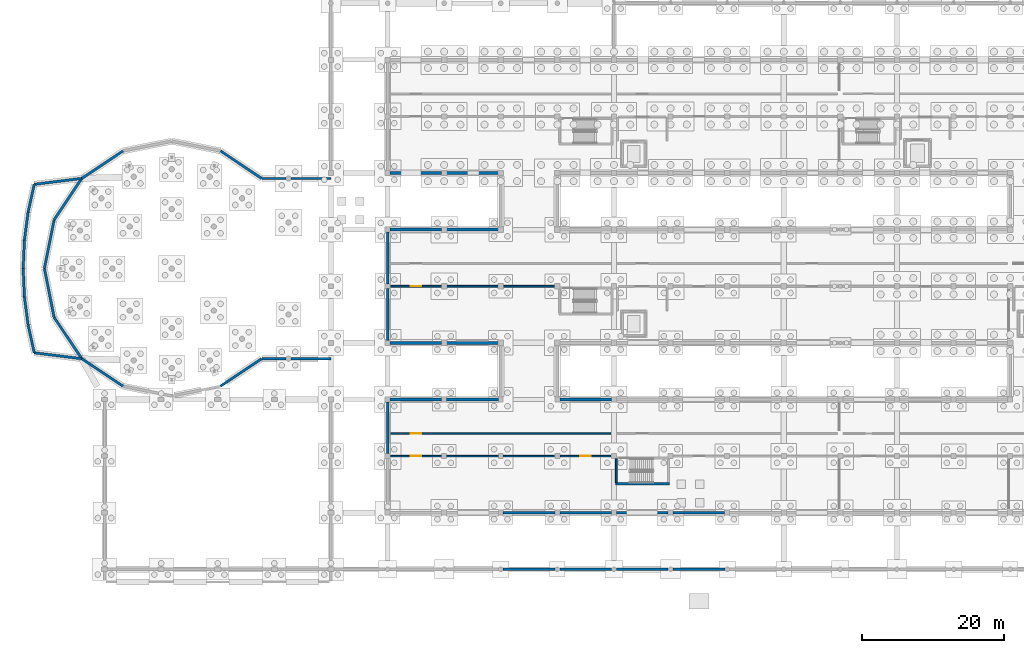
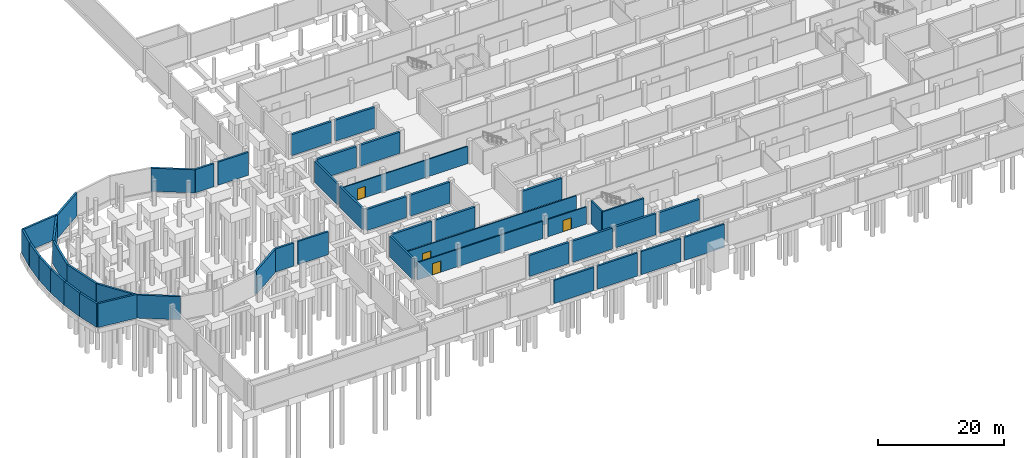
# One storey, part 37 of 51: 46 walls, 4 doors, 4 openings.
"""IFC4 building model written with IfcOpenShell, lengths in metres."""

from ifc_helpers import new_model, si_unit, direction, frame, frame_2d, origin, place, context, subcontext, project, spatial, rectangle, extrude, material, layer, layer_set, type_object, element, fill, save


model = new_model("IFC4")

# Units and contexts
model_context = context("Model", 3, precision=1e-05, world=origin(), true_north=direction((0.0, 1.0)))
body_context = subcontext(model_context, "Body", "Model", "MODEL_VIEW")
ifc_project = project(units=[si_unit("LENGTHUNIT", "METRE"), si_unit("AREAUNIT", "SQUARE_METRE"), si_unit("VOLUMEUNIT", "CUBIC_METRE"), si_unit("PLANEANGLEUNIT", "RADIAN"), si_unit("MASSUNIT", "GRAM", prefix="KILO")], contexts=[model_context])

# Site, building, storey
site_placement = place(None, origin())
site = spatial("IfcSite", under=ifc_project, at=site_placement, CompositionType="ELEMENT")
building_placement = place(site_placement, origin())
building = spatial("IfcBuilding", under=site, at=building_placement, Name="Jelvoka-Kovrelna Polytechnic", CompositionType="ELEMENT")
storey_placement = place(building_placement, frame((0.0, 0.0, -4.5)))
storey = spatial("IfcBuildingStorey", under=building, at=storey_placement, Name="B01", CompositionType="ELEMENT", Elevation=-4.5)

# Wall, opening, door
ifc_material_1 = material(Name="Concrete C35/45", Category="concrete")
ifc_layer_1 = layer(ifc_material_1, 0.219970703125)
ifc_layer_set_1 = layer_set([ifc_layer_1], Name="Concrete C35/45")
wall_type_1 = type_object("IfcWallType", Name="Wall_Compartment_220", PredefinedType="PARTITIONING", material=ifc_layer_set_1)
wall_1_placement = place(storey_placement, frame((56.429931640625, 16.0, 0.0), z_axis=(0.0, 0.0, 1.0), x_axis=(1.0, 0.0, 0.0)))
wall_1 = element("IfcWall", 1, at=wall_1_placement, inside=storey, type_object=wall_type_1, Name="B01 interior wall 0799", PredefinedType="PARTITIONING", context=body_context, shape_type="SweptSolid", body=[
    extrude(rectangle(XDim=23.14013671875, YDim=0.219970703125, at=frame_2d((11.570068359375, 0.0))), origin(), (0.0, 0.0, 1.0), 3.3701171875),
])
opening_1_placement = place(wall_1_placement, frame((2.820068359375, 0.0, 0.0)))
opening_1 = element("IfcOpeningElement", 2, at=opening_1_placement, cuts=wall_1, Name="Opening D-B01-118", PredefinedType="OPENING", context=body_context, shape_type="SweptSolid", body=[
    extrude(rectangle(XDim=1.5, YDim=2.199951171875, at=frame_2d((0.75, 1.10009765625))), frame((0.0, 0.119873046875, 0.0), z_axis=(0.0, -1.0, 0.0), x_axis=(1.0, 0.0, 0.0)), (0.0, 0.0, 1.0), 0.239990234375),
])
ifc_material_2 = material(Name="Paired steel stair lobby fire door", Category="steel")
door_type = type_object("IfcDoorType", Name="Door_Fire_FD04", OperationType="NOTDEFINED", PredefinedType="DOOR", material=ifc_material_2)
door_1_placement = place(opening_1_placement, origin())
door_1 = element("IfcDoor", 3, at=door_1_placement, inside=storey, type_object=door_type, Name="B01 interior door D-B01-118", OperationType="DOUBLE_DOOR_SINGLE_SWING", OverallHeight=2.199951171875, OverallWidth=1.5, PredefinedType="DOOR", context=body_context, shape_type="SweptSolid", body=[
    extrude(rectangle(XDim=1.5, YDim=2.199951171875, at=frame_2d((0.75, 1.10009765625))), frame((0.0, 0.02490234375, 0.0), z_axis=(0.0, -1.0, 0.0), x_axis=(1.0, 0.0, 0.0)), (0.0, 0.0, 1.0), 0.050048828125),
])
fill(opening_1, door_1)

wall_2_placement = place(storey_placement, frame((80.429931640625, 16.0, 0.0), z_axis=(0.0, 0.0, 1.0), x_axis=(1.0, 0.0, 0.0)))
wall_2 = element("IfcWall", 4, at=wall_2_placement, inside=storey, type_object=wall_type_1, Name="B01 interior wall 0800", PredefinedType="PARTITIONING", context=body_context, shape_type="SweptSolid", body=[
    extrude(rectangle(XDim=7.14013671875, YDim=0.219970703125, at=frame_2d((3.570068359375, 0.0))), origin(), (0.0, 0.0, 1.0), 3.3701171875),
])
opening_2_placement = place(wall_2_placement, frame((2.820068359375, 0.0, 0.0)))
opening_2 = element("IfcOpeningElement", 5, at=opening_2_placement, cuts=wall_2, Name="Opening D-B01-119", PredefinedType="OPENING", context=body_context, shape_type="SweptSolid", body=[
    extrude(rectangle(XDim=1.5, YDim=2.199951171875, at=frame_2d((0.75, 1.10009765625))), frame((0.0, 0.119873046875, 0.0), z_axis=(0.0, -1.0, 0.0), x_axis=(1.0, 0.0, 0.0)), (0.0, 0.0, 1.0), 0.239990234375),
])
door_2_placement = place(opening_2_placement, origin())
door_2 = element("IfcDoor", 6, at=door_2_placement, inside=storey, type_object=door_type, Name="B01 interior door D-B01-119", OperationType="DOUBLE_DOOR_SINGLE_SWING", OverallHeight=2.199951171875, OverallWidth=1.5, PredefinedType="DOOR", context=body_context, shape_type="SweptSolid", body=[
    extrude(rectangle(XDim=1.5, YDim=2.199951171875, at=frame_2d((0.75, 1.10009765625))), frame((0.0, 0.02490234375, 0.0), z_axis=(0.0, -1.0, 0.0), x_axis=(1.0, 0.0, 0.0)), (0.0, 0.0, 1.0), 0.050048828125),
])
fill(opening_2, door_2)

wall_3_placement = place(storey_placement, frame((56.429931640625, 19.199951171875, 0.0), z_axis=(0.0, 0.0, 1.0), x_axis=(1.0, 0.0, 0.0)))
wall_3 = element("IfcWall", 7, at=wall_3_placement, inside=storey, type_object=wall_type_1, Name="B01 interior wall 0809", PredefinedType="PARTITIONING", context=body_context, shape_type="SweptSolid", body=[
    extrude(rectangle(XDim=31.14013671875, YDim=0.219970703125, at=frame_2d((15.570068359375, 0.0))), origin(), (0.0, 0.0, 1.0), 3.60009765625),
])
opening_3_placement = place(wall_3_placement, frame((2.820068359375, 0.0, 0.0)))
opening_3 = element("IfcOpeningElement", 8, at=opening_3_placement, cuts=wall_3, Name="Opening D-B01-125", PredefinedType="OPENING", context=body_context, shape_type="SweptSolid", body=[
    extrude(rectangle(XDim=1.5, YDim=2.199951171875, at=frame_2d((0.75, 1.10009765625))), frame((0.0, 0.119873046875, 0.0), z_axis=(0.0, -1.0, 0.0), x_axis=(1.0, 0.0, 0.0)), (0.0, 0.0, 1.0), 0.239990234375),
])
door_3_placement = place(opening_3_placement, origin())
door_3 = element("IfcDoor", 9, at=door_3_placement, inside=storey, type_object=door_type, Name="B01 interior door D-B01-125", OperationType="DOUBLE_DOOR_SINGLE_SWING", OverallHeight=2.199951171875, OverallWidth=1.5, PredefinedType="DOOR", context=body_context, shape_type="SweptSolid", body=[
    extrude(rectangle(XDim=1.5, YDim=2.199951171875, at=frame_2d((0.75, 1.10009765625))), frame((0.0, 0.02490234375, 0.0), z_axis=(0.0, -1.0, 0.0), x_axis=(1.0, 0.0, 0.0)), (0.0, 0.0, 1.0), 0.050048828125),
])
fill(opening_3, door_3)

wall_4_placement = place(storey_placement, frame((56.429931640625, 40.0, 0.0), z_axis=(0.0, 0.0, 1.0), x_axis=(1.0, 0.0, 0.0)))
wall_4 = element("IfcWall", 10, at=wall_4_placement, inside=storey, type_object=wall_type_1, Name="B01 interior wall 0817", PredefinedType="PARTITIONING", context=body_context, shape_type="SweptSolid", body=[
    extrude(rectangle(XDim=23.14013671875, YDim=0.219970703125, at=frame_2d((11.570068359375, 0.0))), origin(), (0.0, 0.0, 1.0), 3.3701171875),
])
opening_4_placement = place(wall_4_placement, frame((2.820068359375, 0.0, 0.0)))
opening_4 = element("IfcOpeningElement", 11, at=opening_4_placement, cuts=wall_4, Name="Opening D-B01-130", PredefinedType="OPENING", context=body_context, shape_type="SweptSolid", body=[
    extrude(rectangle(XDim=1.5, YDim=2.199951171875, at=frame_2d((0.75, 1.10009765625))), frame((0.0, 0.119873046875, 0.0), z_axis=(0.0, -1.0, 0.0), x_axis=(1.0, 0.0, 0.0)), (0.0, 0.0, 1.0), 0.239990234375),
])
door_4_placement = place(opening_4_placement, origin())
door_4 = element("IfcDoor", 12, at=door_4_placement, inside=storey, type_object=door_type, Name="B01 interior door D-B01-130", OperationType="DOUBLE_DOOR_SINGLE_SWING", OverallHeight=2.199951171875, OverallWidth=1.5, PredefinedType="DOOR", context=body_context, shape_type="SweptSolid", body=[
    extrude(rectangle(XDim=1.5, YDim=2.199951171875, at=frame_2d((0.75, 1.10009765625))), frame((0.0, 0.02490234375, 0.0), z_axis=(0.0, -1.0, 0.0), x_axis=(1.0, 0.0, 0.0)), (0.0, 0.0, 1.0), 0.050048828125),
])
fill(opening_4, door_4)

# Walls
ifc_material_3 = material(Name="Concrete C40/50", Category="concrete")
ifc_layer_2 = layer(ifc_material_3, 0.25)
ifc_layer_set_2 = layer_set([ifc_layer_2], Name="Concrete C40/50")
wall_type_2 = type_object("IfcWallType", Name="Wall_Core_250", PredefinedType="SOLIDWALL", material=ifc_layer_set_2)
wall_5_placement = place(storey_placement, frame((88.324951171875, 12.25, 0.0), z_axis=(0.0, 0.0, 1.0), x_axis=(0.0, 1.0, 0.0)))
element("IfcWall", 13, at=wall_5_placement, inside=storey, type_object=wall_type_2, Name="B01 interior wall 0064", PredefinedType="SOLIDWALL", context=body_context, shape_type="SweptSolid", body=[
    extrude(rectangle(XDim=3.360107421875, YDim=0.25, at=frame_2d((1.68017578125, 0.0))), origin(), (0.0, 0.0, 1.0), 4.5),
])
ifc_material_4 = material(Name="Concrete C35/45", Category="concrete")
ifc_layer_3 = layer(ifc_material_4, 0.35009765625)
ifc_layer_set_3 = layer_set([ifc_layer_3], Name="Concrete C35/45")
wall_type_3 = type_object("IfcWallType", Name="Wall_Retaining_350", PredefinedType="USERDEFINED", material=ifc_layer_set_3)
for number, where, z_axis, x_axis, name in (
    (14, (56.0, 16.35009765625, 0.0), (0.0, 0.0, 1.0), (0.0, 1.0, 0.0), "B01 exterior wall 0035"),
    (15, (56.0, 32.35009765625, 0.0), (0.0, 0.0, 1.0), (0.0, 1.0, 0.0), "B01 exterior wall 0067"),
    (16, (56.0, 40.35009765625, 0.0), (0.0, 0.0, 1.0), (0.0, 1.0, 0.0), "B01 exterior wall 0069"),
):
    element("IfcWall", number, at=place(storey_placement, frame(where, z_axis=z_axis, x_axis=x_axis)), inside=storey, type_object=wall_type_3, Name=name, ObjectType="RETAININGWALL", PredefinedType="USERDEFINED", context=body_context, shape_type="SweptSolid", body=[
        extrude(rectangle(XDim=7.2998046875, YDim=0.35009765625, at=frame_2d((3.64990234375, 0.0))), origin(), (0.0, 0.0, 1.0), 4.094970703125),
    ])
for number, where, z_axis, x_axis, name in (
    (17, (38.227783203125, 55.227783203125, -0.405029296875), (0.0, 0.0, 1.0), (-0.831456201368, 0.555590303377, 0.0), "B01 exterior wall 0115"),
    (18, (18.61181640625, 59.1298828125, -0.405029296875), (0.0, 0.0, 1.0), (-0.831456201368, -0.555590303377, 0.0), "B01 exterior wall 0118"),
    (19, (12.772216796875, 55.227783203125, -0.405029296875), (0.0, 0.0, 1.0), (-0.555590303377, -0.831456201368, 0.0), "B01 exterior wall 0119"),
):
    element("IfcWall", number, at=place(storey_placement, frame(where, z_axis=z_axis, x_axis=x_axis)), inside=storey, type_object=wall_type_3, Name=name, ObjectType="RETAININGWALL", PredefinedType="USERDEFINED", context=body_context, shape_type="SweptSolid", body=[
        extrude(rectangle(XDim=7.0234375, YDim=0.35009765625, at=frame_2d((3.51171875, 0.0))), origin(), (0.0, 0.0, 1.0), 4.4951171875),
    ])
for number, where, z_axis, x_axis, name in (
    (20, (8.8701171875, 49.38818359375, -0.405029296875), (0.0, 0.0, 1.0), (-0.19508652554, -0.980786035562, 0.0), "B01 exterior wall 0120"),
    (21, (7.5, 42.5, -0.405029296875), (0.0, 0.0, 1.0), (0.19508652554, -0.980786035562, 0.0), "B01 exterior wall 0121"),
):
    element("IfcWall", number, at=place(storey_placement, frame(where, z_axis=z_axis, x_axis=x_axis)), inside=storey, type_object=wall_type_3, Name=name, ObjectType="RETAININGWALL", PredefinedType="USERDEFINED", context=body_context, shape_type="SweptSolid", body=[
        extrude(rectangle(XDim=7.023193359375, YDim=0.35009765625, at=frame_2d((3.51171875, 0.0))), origin(), (0.0, 0.0, 1.0), 4.4951171875),
    ])
for number, where, z_axis, x_axis, name in (
    (22, (8.8701171875, 35.61181640625, -0.405029296875), (0.0, 0.0, 1.0), (0.555590303377, -0.831456201368, 0.0), "B01 exterior wall 0122"),
    (23, (12.772216796875, 29.772216796875, -0.405029296875), (0.0, 0.0, 1.0), (0.831456201368, -0.555590303377, 0.0), "B01 exterior wall 0123"),
    (24, (32.38818359375, 25.8701171875, -0.405029296875), (0.0, 0.0, 1.0), (0.831456201368, 0.555590303377, 0.0), "B01 exterior wall 0126"),
):
    element("IfcWall", number, at=place(storey_placement, frame(where, z_axis=z_axis, x_axis=x_axis)), inside=storey, type_object=wall_type_3, Name=name, ObjectType="RETAININGWALL", PredefinedType="USERDEFINED", context=body_context, shape_type="SweptSolid", body=[
        extrude(rectangle(XDim=7.0234375, YDim=0.35009765625, at=frame_2d((3.51171875, 0.0))), origin(), (0.0, 0.0, 1.0), 4.4951171875),
    ])
wall_6_placement = place(storey_placement, frame((6.0673828125, 54.40576171875, -0.405029296875), z_axis=(0.0, 0.0, 1.0), x_axis=(-0.216453765595, -0.976292869666, 0.0)))
element("IfcWall", 25, at=wall_6_placement, inside=storey, type_object=wall_type_3, Name="B01 exterior wall 0127", ObjectType="RETAININGWALL", PredefinedType="USERDEFINED", context=body_context, shape_type="SweptSolid", body=[
    extrude(rectangle(XDim=4.01318359375, YDim=0.35009765625, at=frame_2d((2.006591796875, 0.0))), origin(), (0.0, 0.0, 1.0), 4.6201171875),
])
wall_7_placement = place(storey_placement, frame((5.19873046875, 50.48779296875, -0.405029296875), z_axis=(0.0, 0.0, 1.0), x_axis=(-0.130501726556, -0.991448082032, 0.0)))
element("IfcWall", 26, at=wall_7_placement, inside=storey, type_object=wall_type_3, Name="B01 exterior wall 0128", ObjectType="RETAININGWALL", PredefinedType="USERDEFINED", context=body_context, shape_type="SweptSolid", body=[
    extrude(rectangle(XDim=4.012939453125, YDim=0.35009765625, at=frame_2d((2.00634765625, 0.0))), origin(), (0.0, 0.0, 1.0), 4.6201171875),
])
for number, where, z_axis, x_axis, name in (
    (27, (4.675048828125, 46.50927734375, -0.405029296875), (0.0, 0.0, 1.0), (-0.043619387096, -0.999048221594, 0.0), "B01 exterior wall 0129"),
    (28, (4.5, 42.5, -0.405029296875), (0.0, 0.0, 1.0), (0.043619387096, -0.999048221594, 0.0), "B01 exterior wall 0130"),
):
    element("IfcWall", number, at=place(storey_placement, frame(where, z_axis=z_axis, x_axis=x_axis)), inside=storey, type_object=wall_type_3, Name=name, ObjectType="RETAININGWALL", PredefinedType="USERDEFINED", context=body_context, shape_type="SweptSolid", body=[
        extrude(rectangle(XDim=4.01318359375, YDim=0.35009765625, at=frame_2d((2.006591796875, 0.0))), origin(), (0.0, 0.0, 1.0), 4.6201171875),
    ])
wall_8_placement = place(storey_placement, frame((4.675048828125, 38.49072265625, -0.405029296875), z_axis=(0.0, 0.0, 1.0), x_axis=(0.130501726556, -0.991448082032, 0.0)))
element("IfcWall", 29, at=wall_8_placement, inside=storey, type_object=wall_type_3, Name="B01 exterior wall 0131", ObjectType="RETAININGWALL", PredefinedType="USERDEFINED", context=body_context, shape_type="SweptSolid", body=[
    extrude(rectangle(XDim=4.012939453125, YDim=0.35009765625, at=frame_2d((2.00634765625, 0.0))), origin(), (0.0, 0.0, 1.0), 4.6201171875),
])
wall_9_placement = place(storey_placement, frame((5.19873046875, 34.51220703125, -0.405029296875), z_axis=(0.0, 0.0, 1.0), x_axis=(0.216453765595, -0.976292869666, 0.0)))
element("IfcWall", 30, at=wall_9_placement, inside=storey, type_object=wall_type_3, Name="B01 exterior wall 0132", ObjectType="RETAININGWALL", PredefinedType="USERDEFINED", context=body_context, shape_type="SweptSolid", body=[
    extrude(rectangle(XDim=4.01318359375, YDim=0.35009765625, at=frame_2d((2.006591796875, 0.0))), origin(), (0.0, 0.0, 1.0), 4.6201171875),
])
for number, where, z_axis, x_axis, name in (
    (31, (6.0673828125, 54.40576171875, -0.405029296875), (0.0, 0.0, 1.0), (0.992275648298, 0.124052560614, 0.0), "B01 exterior wall 0133"),
    (32, (6.0673828125, 30.59423828125, -0.405029296875), (0.0, 0.0, 1.0), (0.992275648298, -0.124052560614, 0.0), "B01 exterior wall 0134"),
):
    element("IfcWall", number, at=place(storey_placement, frame(where, z_axis=z_axis, x_axis=x_axis)), inside=storey, type_object=wall_type_3, Name=name, ObjectType="RETAININGWALL", PredefinedType="USERDEFINED", context=body_context, shape_type="SweptSolid", body=[
        extrude(rectangle(XDim=6.742431640625, YDim=0.35009765625, at=frame_2d((3.37109375, 0.0))), origin(), (0.0, 0.0, 1.0), 4.6201171875),
    ])
wall_10_placement = place(storey_placement, frame((38.227783203125, 55.227783203125, -0.405029296875), z_axis=(0.0, 0.0, 1.0), x_axis=(1.0, 0.0, 0.0)))
element("IfcWall", 33, at=wall_10_placement, inside=storey, type_object=wall_type_3, Name="B01 exterior wall 0135", ObjectType="RETAININGWALL", PredefinedType="USERDEFINED", context=body_context, shape_type="SweptSolid", body=[
    extrude(rectangle(XDim=3.38525390625, YDim=0.35009765625, at=frame_2d((1.692626953125, 0.0))), origin(), (0.0, 0.0, 1.0), 4.4951171875),
])
wall_11_placement = place(storey_placement, frame((42.386962890625, 55.227783203125, -0.405029296875), z_axis=(0.0, 0.0, 1.0), x_axis=(1.0, 0.0, 0.0)))
element("IfcWall", 34, at=wall_11_placement, inside=storey, type_object=wall_type_3, Name="B01 exterior wall 0136", ObjectType="RETAININGWALL", PredefinedType="USERDEFINED", context=body_context, shape_type="SweptSolid", body=[
    extrude(rectangle(XDim=5.613037109375, YDim=0.35009765625, at=frame_2d((2.806640625, 0.0))), origin(), (0.0, 0.0, 1.0), 4.4951171875),
])
wall_12_placement = place(storey_placement, frame((38.227783203125, 29.772216796875, -0.405029296875), z_axis=(0.0, 0.0, 1.0), x_axis=(1.0, 0.0, 0.0)))
element("IfcWall", 35, at=wall_12_placement, inside=storey, type_object=wall_type_3, Name="B01 exterior wall 0137", ObjectType="RETAININGWALL", PredefinedType="USERDEFINED", context=body_context, shape_type="SweptSolid", body=[
    extrude(rectangle(XDim=3.38525390625, YDim=0.35009765625, at=frame_2d((1.692626953125, 0.0))), origin(), (0.0, 0.0, 1.0), 4.4951171875),
])
wall_13_placement = place(storey_placement, frame((42.386962890625, 29.772216796875, -0.405029296875), z_axis=(0.0, 0.0, 1.0), x_axis=(1.0, 0.0, 0.0)))
element("IfcWall", 36, at=wall_13_placement, inside=storey, type_object=wall_type_3, Name="B01 exterior wall 0138", ObjectType="RETAININGWALL", PredefinedType="USERDEFINED", context=body_context, shape_type="SweptSolid", body=[
    extrude(rectangle(XDim=5.613037109375, YDim=0.35009765625, at=frame_2d((2.806640625, 0.0))), origin(), (0.0, 0.0, 1.0), 4.4951171875),
])
for number, where, z_axis, x_axis, name in (
    (37, (72.3369140625, 0.0, -0.405029296875), (0.0, 0.0, 1.0), (1.0, 0.0, 0.0), "B01 exterior wall 0152"),
    (38, (80.3369140625, 0.0, -0.405029296875), (0.0, 0.0, 1.0), (1.0, 0.0, 0.0), "B01 exterior wall 0153"),
    (39, (88.3369140625, 0.0, -0.405029296875), (0.0, 0.0, 1.0), (1.0, 0.0, 0.0), "B01 exterior wall 0154"),
    (40, (96.3369140625, 0.0, -0.405029296875), (0.0, 0.0, 1.0), (1.0, 0.0, 0.0), "B01 exterior wall 0155"),
):
    element("IfcWall", number, at=place(storey_placement, frame(where, z_axis=z_axis, x_axis=x_axis)), inside=storey, type_object=wall_type_3, Name=name, ObjectType="RETAININGWALL", PredefinedType="USERDEFINED", context=body_context, shape_type="SweptSolid", body=[
        extrude(rectangle(XDim=7.326171875, YDim=0.35009765625, at=frame_2d((3.6630859375, 0.0))), origin(), (0.0, 0.0, 1.0), 4.4951171875),
    ])
ifc_material_5 = material(Name="Concrete C35/45", Category="concrete")
ifc_layer_4 = layer(ifc_material_5, 0.39990234375)
ifc_layer_set_4 = layer_set([ifc_layer_4], Name="Concrete C35/45")
wall_type_4 = type_object("IfcWallType", Name="Wall_Retaining_400", PredefinedType="USERDEFINED", material=ifc_layer_set_4)
for number, where, z_axis, x_axis, name in (
    (41, (56.35009765625, 24.0, 0.0), (0.0, 0.0, 1.0), (1.0, 0.0, 0.0), "B01 exterior wall 0002"),
    (42, (64.35009765625, 24.0, 0.0), (0.0, 0.0, 1.0), (1.0, 0.0, 0.0), "B01 exterior wall 0004"),
    (43, (79.64990234375, 8.0, 0.0), (0.0, 0.0, 1.0), (-1.0, 0.0, 0.0), "B01 exterior wall 0005"),
    (44, (87.64990234375, 8.0, 0.0), (0.0, 0.0, 1.0), (-1.0, 0.0, 0.0), "B01 exterior wall 0006"),
    (45, (80.35009765625, 24.0, 0.0), (0.0, 0.0, 1.0), (1.0, 0.0, 0.0), "B01 exterior wall 0007"),
    (46, (95.64990234375, 8.0, 0.0), (0.0, 0.0, 1.0), (-1.0, 0.0, 0.0), "B01 exterior wall 0008"),
    (47, (103.64990234375, 8.0, 0.0), (0.0, 0.0, 1.0), (-1.0, 0.0, 0.0), "B01 exterior wall 0010"),
    (48, (63.64990234375, 32.0, 0.0), (0.0, 0.0, 1.0), (-1.0, 0.0, 0.0), "B01 exterior wall 0037"),
    (49, (56.35009765625, 48.0, 0.0), (0.0, 0.0, 1.0), (1.0, 0.0, 0.0), "B01 exterior wall 0038"),
    (50, (71.64990234375, 32.0, 0.0), (0.0, 0.0, 1.0), (-1.0, 0.0, 0.0), "B01 exterior wall 0039"),
    (51, (64.35009765625, 48.0, 0.0), (0.0, 0.0, 1.0), (1.0, 0.0, 0.0), "B01 exterior wall 0040"),
    (52, (63.64990234375, 56.0, 0.0), (0.0, 0.0, 1.0), (-1.0, 0.0, 0.0), "B01 exterior wall 0071"),
    (53, (71.64990234375, 56.0, 0.0), (0.0, 0.0, 1.0), (-1.0, 0.0, 0.0), "B01 exterior wall 0073"),
):
    element("IfcWall", number, at=place(storey_placement, frame(where, z_axis=z_axis, x_axis=x_axis)), inside=storey, type_object=wall_type_4, Name=name, ObjectType="RETAININGWALL", PredefinedType="USERDEFINED", context=body_context, shape_type="SweptSolid", body=[
        extrude(rectangle(XDim=7.2998046875, YDim=0.39990234375, at=frame_2d((3.64990234375, 0.0))), origin(), (0.0, 0.0, 1.0), 4.094970703125),
    ])
ifc_material_6 = material(Name="Concrete C40/50", Category="concrete")
ifc_layer_5 = layer(ifc_material_6, 0.300048828125)
ifc_layer_set_5 = layer_set([ifc_layer_5], Name="Concrete C40/50")
wall_type_5 = type_object("IfcWallType", Name="Wall_Shear_300", PredefinedType="SHEAR", material=ifc_layer_set_5)
wall_14_placement = place(storey_placement, frame((88.199951171875, 12.090087890625, 0.0), z_axis=(0.0, 0.0, 1.0), x_axis=(1.0, 0.0, 0.0)))
element("IfcWall", 54, at=wall_14_placement, inside=storey, type_object=wall_type_5, Name="B01 interior wall 0061", PredefinedType="SHEAR", context=body_context, shape_type="SweptSolid", body=[
    extrude(rectangle(XDim=7.650146484375, YDim=0.300048828125, at=frame_2d((3.8251953125, 0.0))), origin(), (0.0, 0.0, 1.0), 4.5),
])

save(model, "model.ifc")
